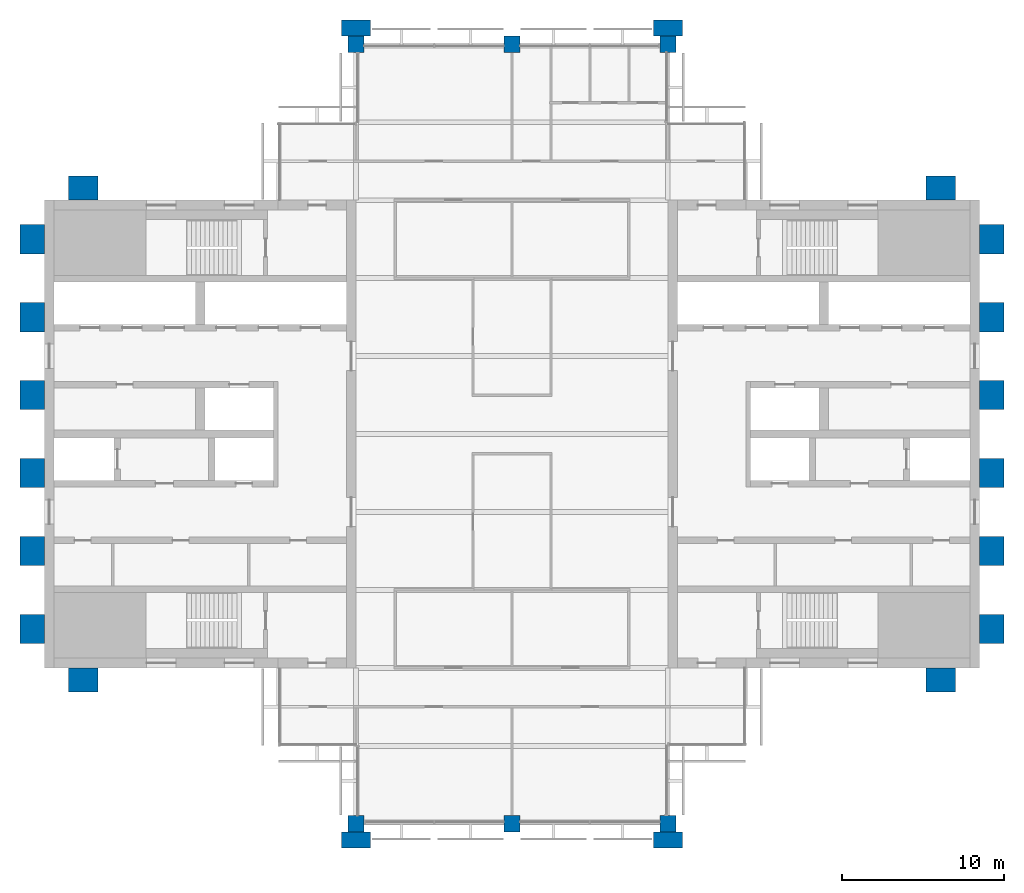
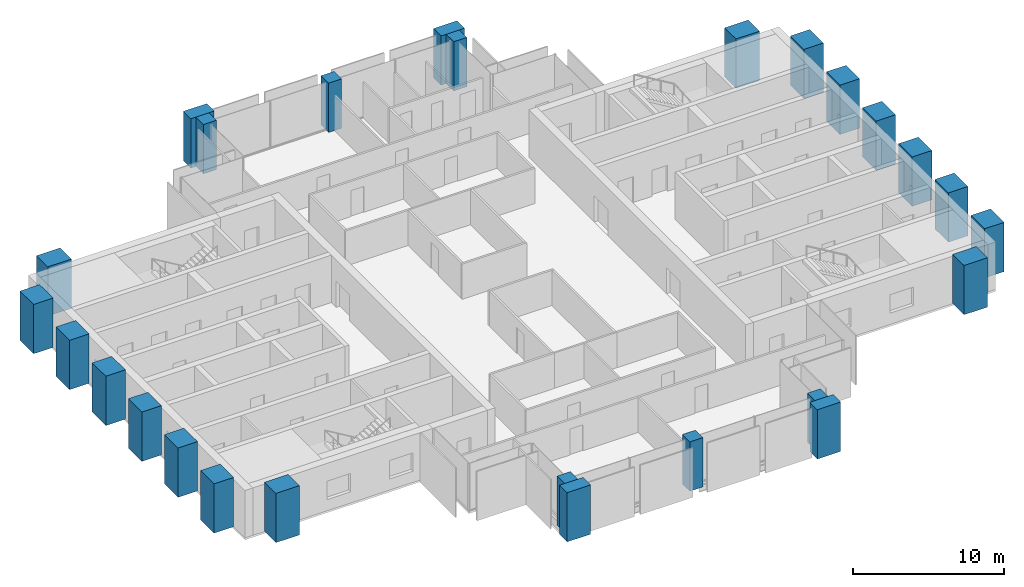
# One storey, part 1 of 12: 26 columns.
"""IFC4 building model written with IfcOpenShell, lengths in metres."""

from ifc_helpers import new_model, si_unit, direction, frame, origin, origin_2d, place, context, subcontext, project, spatial, rectangle, extrude, material, material_profile, profile_set, type_object, element, save


model = new_model("IFC4")

# Units and contexts
model_context = context("Model", 3, precision=1e-05, world=origin(), true_north=direction((0.0, 1.0)))
body_context = subcontext(model_context, "Body", "Model", "MODEL_VIEW")
ifc_project = project(units=[si_unit("LENGTHUNIT", "METRE"), si_unit("AREAUNIT", "SQUARE_METRE"), si_unit("VOLUMEUNIT", "CUBIC_METRE"), si_unit("PLANEANGLEUNIT", "RADIAN"), si_unit("MASSUNIT", "GRAM", prefix="KILO")], contexts=[model_context])

# Site, building, storey
site_placement = place(None, origin())
site = spatial("IfcSite", under=ifc_project, at=site_placement, CompositionType="ELEMENT")
building_placement = place(site_placement, origin())
building = spatial("IfcBuilding", under=site, at=building_placement, Name="Baori Bourse Tower", CompositionType="ELEMENT")
storey_placement = place(building_placement, frame((0.0, 0.0, 298.300048828125)))
storey = spatial("IfcBuildingStorey", under=building, at=storey_placement, Name="L65", CompositionType="ELEMENT", Elevation=298.300048828125)

# Columns
ifc_material_1 = material(Name="Concrete f'c 60 MPa", Category="concrete")
ifc_material_profile_1 = material_profile(ifc_material_1, rectangle(XDim=1.800048828125, YDim=1.0, at=origin_2d()), Name="RC 1800x1000")
ifc_profile_set_1 = profile_set([ifc_material_profile_1], Name="Concrete f'c 60 MPa")
column_type_1 = type_object("IfcColumnType", Name="FN3 Brick pilaster 1800x1000", PredefinedType="PILASTER", material=ifc_profile_set_1)
for number, where, z_axis, x_axis, name in (
    (1, (19.199951171875, -1.0, 0.0), (0.0, 0.0, 1.0), (1.0, 0.0, 0.0), "Brick pilaster L65 17"),
    (2, (38.39990234375, -1.0, 0.0), (0.0, 0.0, 1.0), (1.0, 0.0, 0.0), "Brick pilaster L65 18"),
    (3, (19.199951171875, 49.0, 0.0), (0.0, 0.0, 1.0), (1.0, 0.0, 0.0), "Brick pilaster L65 19"),
    (4, (38.39990234375, 49.0, 0.0), (0.0, 0.0, 1.0), (1.0, 0.0, 0.0), "Brick pilaster L65 20"),
):
    element("IfcColumn", number, at=place(storey_placement, frame(where, z_axis=z_axis, x_axis=x_axis)), inside=storey, type_object=column_type_1, Name=name, PredefinedType="PILASTER", context=body_context, shape_type="SweptSolid", body=[
        extrude(rectangle(XDim=1.800048828125, YDim=1.0, at=origin_2d()), origin(), (0.0, 0.0, 1.0), 4.0),
    ])
ifc_material_2 = material(Name="Concrete f'c 60 MPa", Category="concrete")
ifc_material_profile_2 = material_profile(ifc_material_2, rectangle(XDim=1.800048828125, YDim=1.5, at=origin_2d()), Name="RC 1800x1500")
ifc_profile_set_2 = profile_set([ifc_material_profile_2], Name="Concrete f'c 60 MPa")
column_type_2 = type_object("IfcColumnType", Name="FN4 Brick flank pilaster 1800x1500", PredefinedType="PILASTER", material=ifc_profile_set_2)
for number, where, z_axis, x_axis, name in (
    (5, (55.199951171875, 8.85009765625, 0.0), (0.0, 0.0, 1.0), (1.0, 0.0, 0.0), "Brick pilaster L65 1"),
    (6, (58.35009765625, 12.0, 0.0), (0.0, 0.0, 1.0), (0.0, 1.0, 0.0), "Brick pilaster L65 2"),
    (7, (58.35009765625, 16.800048828125, 0.0), (0.0, 0.0, 1.0), (0.0, 1.0, 0.0), "Brick pilaster L65 3"),
    (8, (58.35009765625, 21.60009765625, 0.0), (0.0, 0.0, 1.0), (0.0, 1.0, 0.0), "Brick pilaster L65 4"),
    (9, (58.35009765625, 26.39990234375, 0.0), (0.0, 0.0, 1.0), (0.0, 1.0, 0.0), "Brick pilaster L65 5"),
    (10, (58.35009765625, 31.199951171875, 0.0), (0.0, 0.0, 1.0), (0.0, 1.0, 0.0), "Brick pilaster L65 6"),
    (11, (58.35009765625, 36.0, 0.0), (0.0, 0.0, 1.0), (0.0, 1.0, 0.0), "Brick pilaster L65 7"),
    (12, (55.199951171875, 39.14990234375, 0.0), (0.0, 0.0, 1.0), (1.0, 0.0, 0.0), "Brick pilaster L65 8"),
    (13, (2.39990234375, 39.14990234375, 0.0), (0.0, 0.0, 1.0), (1.0, 0.0, 0.0), "Brick pilaster L65 9"),
    (14, (-0.75, 12.0, 0.0), (0.0, 0.0, 1.0), (0.0, 1.0, 0.0), "Brick pilaster L65 10"),
    (15, (-0.75, 16.800048828125, 0.0), (0.0, 0.0, 1.0), (0.0, 1.0, 0.0), "Brick pilaster L65 11"),
    (16, (-0.75, 21.60009765625, 0.0), (0.0, 0.0, 1.0), (0.0, 1.0, 0.0), "Brick pilaster L65 12"),
    (17, (-0.75, 26.39990234375, 0.0), (0.0, 0.0, 1.0), (0.0, 1.0, 0.0), "Brick pilaster L65 13"),
    (18, (-0.75, 31.199951171875, 0.0), (0.0, 0.0, 1.0), (0.0, 1.0, 0.0), "Brick pilaster L65 14"),
    (19, (-0.75, 36.0, 0.0), (0.0, 0.0, 1.0), (0.0, 1.0, 0.0), "Brick pilaster L65 15"),
    (20, (2.39990234375, 8.85009765625, 0.0), (0.0, 0.0, 1.0), (1.0, 0.0, 0.0), "Brick pilaster L65 16"),
):
    element("IfcColumn", number, at=place(storey_placement, frame(where, z_axis=z_axis, x_axis=x_axis)), inside=storey, type_object=column_type_2, Name=name, PredefinedType="PILASTER", context=body_context, shape_type="SweptSolid", body=[
        extrude(rectangle(XDim=1.800048828125, YDim=1.5, at=origin_2d()), origin(), (0.0, 0.0, 1.0), 4.0),
    ])
ifc_material_3 = material(Name="Concrete f'c 40 MPa", Category="concrete")
ifc_material_profile_3 = material_profile(ifc_material_3, rectangle(XDim=1.0, YDim=1.0, at=origin_2d()), Name="RC 1000x1000")
ifc_profile_set_3 = profile_set([ifc_material_profile_3], Name="Concrete f'c 40 MPa")
column_type_3 = type_object("IfcColumnType", Name="Perimeter column 40 RC 1000x1000", PredefinedType="COLUMN", material=ifc_profile_set_3)
for number, where, z_axis, x_axis, name in (
    (21, (19.199951171875, 0.0, 0.0), (0.0, 0.0, 1.0), (1.0, 0.0, 0.0), "Perimeter column L65"),
    (22, (28.800048828125, 0.0, 0.0), (0.0, 0.0, 1.0), (1.0, 0.0, 0.0), "Perimeter column L65"),
    (23, (38.39990234375, 0.0, 0.0), (0.0, 0.0, 1.0), (1.0, 0.0, 0.0), "Perimeter column L65"),
    (24, (19.199951171875, 48.0, 0.0), (0.0, 0.0, 1.0), (1.0, 0.0, 0.0), "Perimeter column L65"),
    (25, (28.800048828125, 48.0, 0.0), (0.0, 0.0, 1.0), (1.0, 0.0, 0.0), "Perimeter column L65"),
    (26, (38.39990234375, 48.0, 0.0), (0.0, 0.0, 1.0), (1.0, 0.0, 0.0), "Perimeter column L65"),
):
    element("IfcColumn", number, at=place(storey_placement, frame(where, z_axis=z_axis, x_axis=x_axis)), inside=storey, type_object=column_type_3, Name=name, PredefinedType="COLUMN", context=body_context, shape_type="SweptSolid", body=[
        extrude(rectangle(XDim=1.0, YDim=1.0, at=origin_2d()), origin(), (0.0, 0.0, 1.0), 4.0),
    ])

save(model, "model.ifc")
